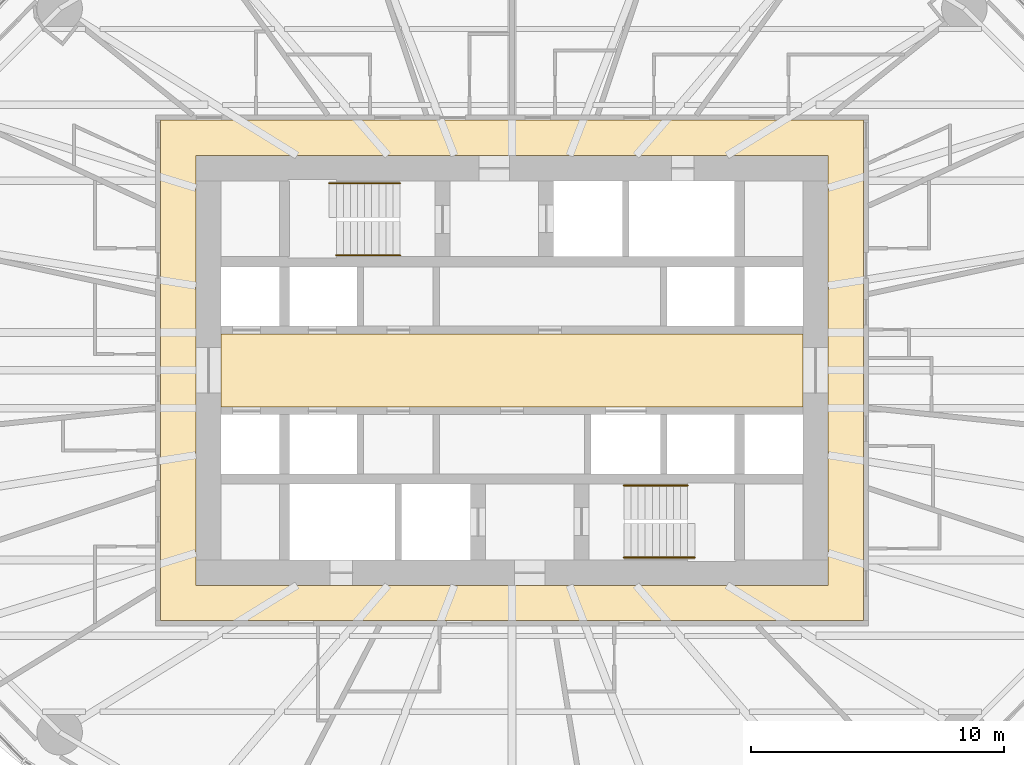
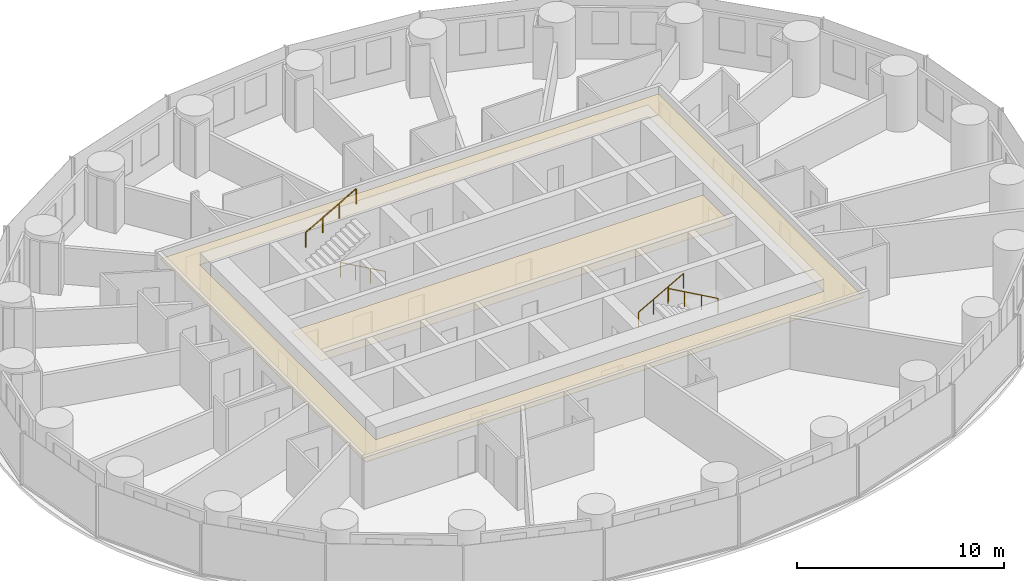
# One storey, part 13 of 13: 4 railings, 2 coverings.
"""IFC4 building model written with IfcOpenShell, lengths in metres."""

from ifc_helpers import new_model, si_unit, direction, frame, origin, origin_2d, place, context, subcontext, project, spatial, polyline, circle, outline, extrude, material, layer, layer_set, type_object, element, save


model = new_model("IFC4")

# Units and contexts
model_context = context("Model", 3, precision=1e-05, world=origin(), true_north=direction((0.0, 1.0)))
body_context = subcontext(model_context, "Body", "Model", "MODEL_VIEW")
ifc_project = project(units=[si_unit("LENGTHUNIT", "METRE"), si_unit("AREAUNIT", "SQUARE_METRE"), si_unit("VOLUMEUNIT", "CUBIC_METRE"), si_unit("PLANEANGLEUNIT", "RADIAN"), si_unit("MASSUNIT", "GRAM", prefix="KILO")], contexts=[model_context])

# Site, building, storey
site_placement = place(None, origin())
site = spatial("IfcSite", under=ifc_project, at=site_placement, CompositionType="ELEMENT")
building_placement = place(site_placement, origin())
building = spatial("IfcBuilding", under=site, at=building_placement, Name="Hankou Lantern Tower", CompositionType="ELEMENT")
storey_placement = place(building_placement, frame((0.0, 0.0, 42.60009765625)))
storey = spatial("IfcBuildingStorey", under=building, at=storey_placement, Name="L09", CompositionType="ELEMENT", Elevation=42.60009765625)

# Coverings
ifc_material_1 = material(Name="Black painted aluminium linear ceiling panels", Category="aluminium")
ifc_layer_1 = layer(ifc_material_1, 0.02490234375)
ifc_layer_set_1 = layer_set([ifc_layer_1], Name="Black painted aluminium linear ceiling panels")
covering_type_1 = type_object("IfcCoveringType", Name="CL1 CORRIDOR CEILING 25", PredefinedType="CEILING", material=ifc_layer_set_1)
covering_1_placement = place(storey_placement, frame((0.0, 0.0, 2.574951171875)))
element("IfcCovering", 1, at=covering_1_placement, inside=storey, type_object=covering_type_1, Name="Corridor ceiling L09", PredefinedType="CEILING", context=body_context, shape_type="SweptSolid", body=[
    extrude(outline(polyline([(-13.89990234375, -9.89990234375), (13.89990234375, -9.89990234375), (13.89990234375, 9.89990234375), (-13.89990234375, 9.89990234375), (-13.89990234375, -9.89990234375)]), holes=[polyline([(-12.5, 8.5), (12.5, 8.5), (12.5, -8.5), (-12.5, -8.5), (-12.5, 8.5)])]), origin(), (0.0, 0.0, 1.0), 0.02490234375),
])
ifc_material_2 = material(Name="Perforated black aluminium acoustic tray ceiling", Category="aluminium")
ifc_layer_2 = layer(ifc_material_2, 0.014892578125)
ifc_layer_set_2 = layer_set([ifc_layer_2], Name="Perforated black aluminium acoustic tray ceiling")
covering_type_2 = type_object("IfcCoveringType", Name="CL2 LIFT LOBBY CEILING 15", PredefinedType="CEILING", material=ifc_layer_set_2)
covering_2_placement = place(storey_placement, frame((0.0, 0.0, 2.5849609375)))
element("IfcCovering", 2, at=covering_2_placement, inside=storey, type_object=covering_type_2, Name="Lift lobby ceiling L09", PredefinedType="CEILING", context=body_context, shape_type="SweptSolid", body=[
    extrude(outline(polyline([(-11.5, -1.449951171875), (11.5, -1.449951171875), (11.5, 1.449951171875), (-11.5, 1.449951171875), (-11.5, -1.449951171875)])), origin(), (0.0, 0.0, 1.0), 0.014892578125),
])

# Railings
ifc_material_3 = material(Name="Steel handrail", Category="steel")
railing_type = type_object("IfcRailingType", Name="HR1 STAIR HANDRAIL", PredefinedType="HANDRAIL", material=ifc_material_3)
railing_1_placement = place(storey_placement, frame((-4.429931640625, 4.550048828125, 0.89990234375)))
element("IfcRailing", 3, at=railing_1_placement, inside=storey, type_object=railing_type, Name="Handrail stair STA L09 flight 1", PredefinedType="HANDRAIL", context=body_context, shape_type="SweptSolid", body=[
    extrude(circle(Radius=0.02392578125, at=origin_2d()), frame((0.0, 0.0, 0.8759765625), z_axis=(-0.872048945198, 0.0, 0.489418672692), x_axis=(0.0, -1.0, 0.0)), (0.0, 0.0, 1.0), 2.8896484375),
    extrude(circle(Radius=0.02099609375, at=origin_2d()), origin(), (0.0, 0.0, 1.0), 0.851806640625),
    extrude(circle(Radius=0.02099609375, at=origin_2d()), frame((-0.840087890625, 0.0, 0.471435546875)), (0.0, 0.0, 1.0), 0.851806640625),
    extrude(circle(Radius=0.02099609375, at=origin_2d()), frame((-1.679931640625, 0.0, 0.94287109375)), (0.0, 0.0, 1.0), 0.851806640625),
    extrude(circle(Radius=0.02099609375, at=origin_2d()), frame((-2.52001953125, 0.0, 1.414306640625)), (0.0, 0.0, 1.0), 0.851806640625),
])
railing_2_placement = place(storey_placement, frame((-7.22998046875, 7.39990234375, 2.471435546875)))
element("IfcRailing", 4, at=railing_2_placement, inside=storey, type_object=railing_type, Name="Handrail stair STA L09 flight 2", PredefinedType="HANDRAIL", context=body_context, shape_type="SweptSolid", body=[
    extrude(circle(Radius=0.02392578125, at=origin_2d()), frame((0.0, 0.0, 0.8759765625), z_axis=(0.872072602893, 0.0, 0.489376516891), x_axis=(0.0, 1.0, 0.0)), (0.0, 0.0, 1.0), 3.210693359375),
    extrude(circle(Radius=0.02099609375, at=origin_2d()), origin(), (0.0, 0.0, 1.0), 0.851806640625),
    extrude(circle(Radius=0.02099609375, at=origin_2d()), frame((0.933349609375, 0.0, 0.523681640625)), (0.0, 0.0, 1.0), 0.851806640625),
    extrude(circle(Radius=0.02099609375, at=origin_2d()), frame((1.86669921875, 0.0, 1.047607421875)), (0.0, 0.0, 1.0), 0.851806640625),
    extrude(circle(Radius=0.02099609375, at=origin_2d()), frame((2.800048828125, 0.0, 1.5712890625)), (0.0, 0.0, 1.0), 0.851806640625),
])
railing_3_placement = place(storey_placement, frame((4.429931640625, -4.550048828125, 0.89990234375)))
element("IfcRailing", 5, at=railing_3_placement, inside=storey, type_object=railing_type, Name="Handrail stair STB L09 flight 1", PredefinedType="HANDRAIL", context=body_context, shape_type="SweptSolid", body=[
    extrude(circle(Radius=0.02392578125, at=origin_2d()), frame((0.0, 0.0, 0.8759765625), z_axis=(0.872048945198, 0.0, 0.489418672692), x_axis=(0.0, 1.0, 0.0)), (0.0, 0.0, 1.0), 2.8896484375),
    extrude(circle(Radius=0.02099609375, at=origin_2d()), origin(), (0.0, 0.0, 1.0), 0.851806640625),
    extrude(circle(Radius=0.02099609375, at=origin_2d()), frame((0.840087890625, 0.0, 0.471435546875)), (0.0, 0.0, 1.0), 0.851806640625),
    extrude(circle(Radius=0.02099609375, at=origin_2d()), frame((1.679931640625, 0.0, 0.94287109375)), (0.0, 0.0, 1.0), 0.851806640625),
    extrude(circle(Radius=0.02099609375, at=origin_2d()), frame((2.52001953125, 0.0, 1.414306640625)), (0.0, 0.0, 1.0), 0.851806640625),
])
railing_4_placement = place(storey_placement, frame((7.22998046875, -7.39990234375, 2.471435546875)))
element("IfcRailing", 6, at=railing_4_placement, inside=storey, type_object=railing_type, Name="Handrail stair STB L09 flight 2", PredefinedType="HANDRAIL", context=body_context, shape_type="SweptSolid", body=[
    extrude(circle(Radius=0.02392578125, at=origin_2d()), frame((0.0, 0.0, 0.8759765625), z_axis=(-0.872072602893, 0.0, 0.489376516891), x_axis=(0.0, -1.0, 0.0)), (0.0, 0.0, 1.0), 3.210693359375),
    extrude(circle(Radius=0.02099609375, at=origin_2d()), origin(), (0.0, 0.0, 1.0), 0.851806640625),
    extrude(circle(Radius=0.02099609375, at=origin_2d()), frame((-0.933349609375, 0.0, 0.523681640625)), (0.0, 0.0, 1.0), 0.851806640625),
    extrude(circle(Radius=0.02099609375, at=origin_2d()), frame((-1.86669921875, 0.0, 1.047607421875)), (0.0, 0.0, 1.0), 0.851806640625),
    extrude(circle(Radius=0.02099609375, at=origin_2d()), frame((-2.800048828125, 0.0, 1.5712890625)), (0.0, 0.0, 1.0), 0.851806640625),
])

save(model, "model.ifc")
